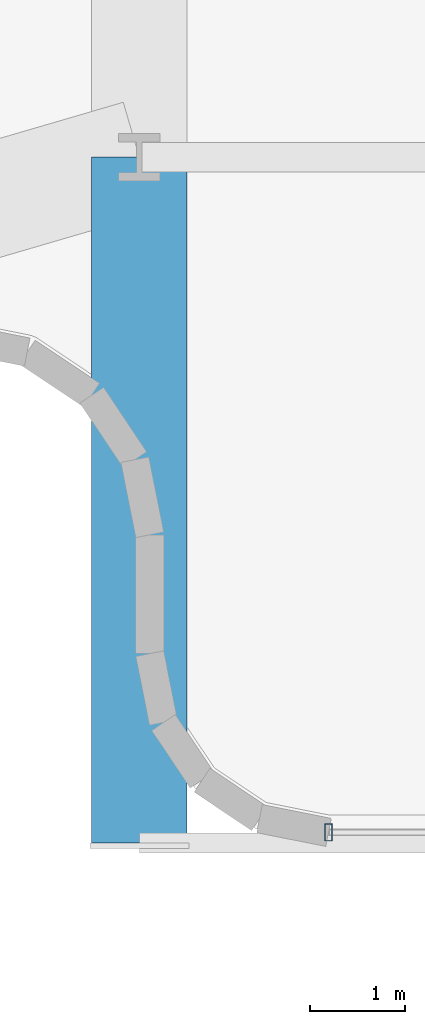
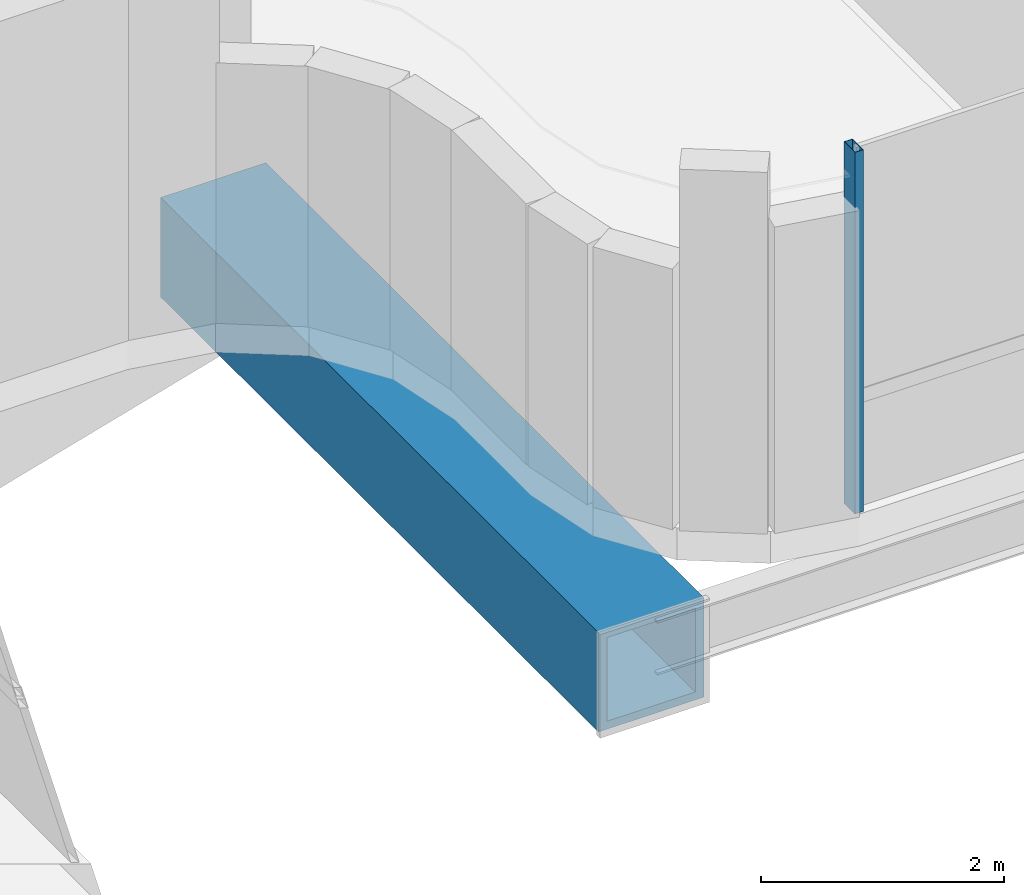
# One storey, part 6 of 38: 1 beam, 1 member, 1 element without a shape of its own.
"""IFC4 building model written with IfcOpenShell, lengths in metres."""

from ifc_helpers import new_model, si_unit, direction, frame, origin, origin_2d, place, context, subcontext, project, spatial, hollow_rectangle, extrude, source, transform, mapped, material, material_profile, profile_set, type_object, element, aggregate, save


model = new_model("IFC4")

# Units and contexts
model_context = context("Model", 3, precision=1e-05, world=origin(), true_north=direction((0.0, 1.0)))
body_context = subcontext(model_context, "Body", "Model", "MODEL_VIEW")
ifc_project = project(units=[si_unit("LENGTHUNIT", "METRE"), si_unit("AREAUNIT", "SQUARE_METRE"), si_unit("VOLUMEUNIT", "CUBIC_METRE"), si_unit("PLANEANGLEUNIT", "RADIAN"), si_unit("MASSUNIT", "GRAM", prefix="KILO")], contexts=[model_context])

# Site, building, storey
site_placement = place(None, origin())
site = spatial("IfcSite", under=ifc_project, at=site_placement, CompositionType="ELEMENT")
building_placement = place(site_placement, origin())
building = spatial("IfcBuilding", under=site, at=building_placement, Name="Valdorenza Pilgrim Sanctuary Tower", CompositionType="ELEMENT")
storey_placement = place(building_placement, frame((0.0, 0.0, 180.5)))
storey = spatial("IfcBuildingStorey", under=building, at=storey_placement, Name="L46", CompositionType="ELEMENT", Elevation=180.5)

# Beam
ifc_material_1 = material(Name="Steel ASTM A572 Grade 42", Category="steel")
ifc_material_profile_1 = material_profile(ifc_material_1, hollow_rectangle(XDim=1.0, YDim=1.0, WallThickness=0.080078125, at=origin_2d()), Name="BOX 1000x1000x80")
ifc_profile_set_1 = profile_set([ifc_material_profile_1], Name="Steel ASTM A572 Grade 42")
beam_type = type_object("IfcBeamType", Name="STR-BM-PROW-CANT", PredefinedType="BEAM", material=ifc_profile_set_1)
shared_shape_1 = source(origin(), body_context, "Body", "SweptSolid", [
    extrude(hollow_rectangle(XDim=1.0, YDim=1.0, WallThickness=0.080078125, at=origin_2d()), origin(), (0.0, 0.0, 1.0), 7.199951171875),
])
beam_placement = place(storey_placement, frame((-3.5, 0.0, -0.820068359375), z_axis=(0.0, -1.0, 0.0), x_axis=(1.0, 0.0, 0.0)))
element("IfcBeam", 1, at=beam_placement, inside=storey, type_object=beam_type, Name="L46 South Sanctuary Prow Cantilever PROW-CANT-S-W", PredefinedType="BEAM", context=body_context, shape_type="MappedRepresentation", body=[
    mapped(shared_shape_1, transform((0.0, 0.0, 0.0), x_axis=(1.0, 0.0, 0.0), y_axis=(0.0, 1.0, 0.0), z_axis=(0.0, 0.0, 1.0), scale=1.0)),
])

# Curtain wall, member
ifc_material_2 = material(Name="Curtain-wall IGU glazing", Category="glass")
curtain_wall_type = type_object("IfcCurtainWallType", Name="CW-SYS-05", PredefinedType="NOTDEFINED", material=ifc_material_2)
curtain_wall_placement = place(storey_placement, origin())
curtain_wall = element("IfcCurtainWall", 2, at=curtain_wall_placement, inside=storey, type_object=curtain_wall_type, Name="L46 Curtain Wall CW-L46-1-62", PredefinedType="NOTDEFINED")
ifc_material_3 = material(Name="Anodised aluminium AW-6060", Category="aluminium")
ifc_material_profile_2 = material_profile(ifc_material_3, hollow_rectangle(XDim=0.080078125, YDim=0.179931640625, WallThickness=0.00439453125, at=origin_2d()), Name="ALU-M 180x80x4.5")
ifc_profile_set_2 = profile_set([ifc_material_profile_2], Name="Anodised aluminium AW-6060")
member_type = type_object("IfcMemberType", Name="CW-MUL-05", PredefinedType="MULLION", material=ifc_profile_set_2)
shared_shape_2 = source(origin(), body_context, "Body", "SweptSolid", [
    extrude(hollow_rectangle(XDim=0.080078125, YDim=0.179931640625, WallThickness=0.00439453125, at=origin_2d()), origin(), (0.0, 0.0, 1.0), 3.6298828125),
])
member_placement = place(storey_placement, frame((-1.51318359375, -7.090087890625, 0.0), z_axis=(0.0, 0.0, 1.0), x_axis=(-1.0, 0.0, 0.0)))
member = element("IfcMember", 3, at=member_placement, type_object=member_type, Name="CW-L46-1-62 Mullion 3", PredefinedType="MULLION", context=body_context, shape_type="MappedRepresentation", body=[
    mapped(shared_shape_2, transform((0.0, 0.0, 0.0), x_axis=(1.0, 0.0, 0.0), y_axis=(0.0, 1.0, 0.0), z_axis=(0.0, 0.0, 1.0), scale=1.0)),
])
aggregate(curtain_wall, [member])

save(model, "model.ifc")
